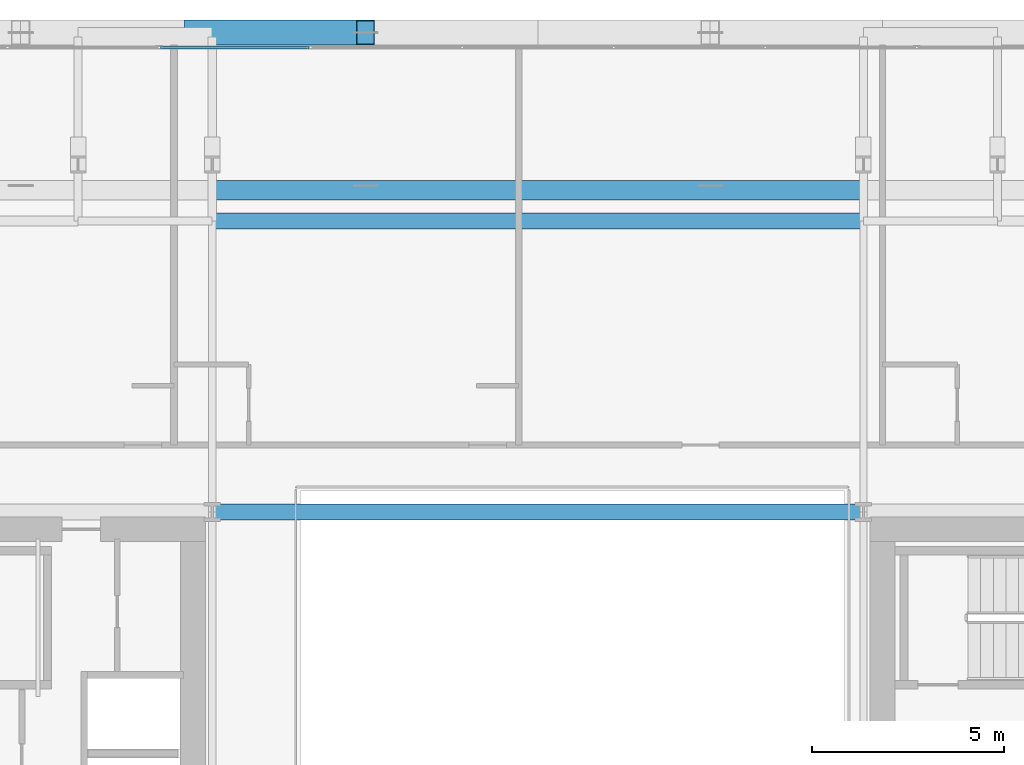
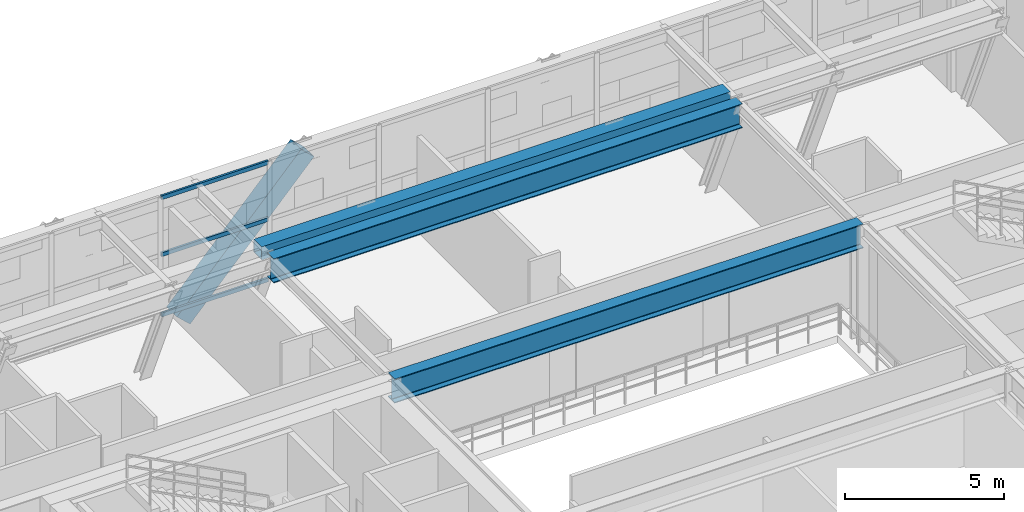
# One storey, part 19 of 35: 4 members, 3 beams, 1 element without a shape of its own.
"""IFC4 building model written with IfcOpenShell, lengths in metres."""

from ifc_helpers import new_model, si_unit, direction, frame, origin, origin_2d, place, context, subcontext, project, spatial, hollow_rectangle, i_section, extrude, source, transform, mapped, material, layer, layer_set, material_profile, profile_set, type_object, element, aggregate, save


model = new_model("IFC4")

# Units and contexts
model_context = context("Model", 3, precision=1e-05, world=origin(), true_north=direction((0.0, 1.0)))
body_context = subcontext(model_context, "Body", "Model", "MODEL_VIEW")
ifc_project = project(units=[si_unit("LENGTHUNIT", "METRE"), si_unit("AREAUNIT", "SQUARE_METRE"), si_unit("VOLUMEUNIT", "CUBIC_METRE"), si_unit("PLANEANGLEUNIT", "RADIAN"), si_unit("MASSUNIT", "GRAM", prefix="KILO")], contexts=[model_context])

# Site, building, storey
site_placement = place(None, origin())
site = spatial("IfcSite", under=ifc_project, at=site_placement, CompositionType="ELEMENT")
building_placement = place(site_placement, origin())
building = spatial("IfcBuilding", under=site, at=building_placement, Name="Ocotamira Hotel", CompositionType="ELEMENT")
storey_placement = place(building_placement, frame((0.0, 0.0, 158.39990234375)))
storey = spatial("IfcBuildingStorey", under=building, at=storey_placement, Name="L39", CompositionType="ELEMENT", Elevation=158.39990234375)

# Beams
ifc_material_1 = material(Name="Steel ASTM A992 Grade 50", Category="steel")
ifc_material_profile_1 = material_profile(ifc_material_1, i_section(OverallWidth=0.41796875, OverallDepth=0.927001953125, WebThickness=0.019287109375, FlangeThickness=0.031982421875, FilletRadius=0.02392578125, at=origin_2d()), Name="W36X231")
ifc_profile_set_1 = profile_set([ifc_material_profile_1], Name="Steel ASTM A992 Grade 50")
beam_type_1 = type_object("IfcBeamType", Name="BM-GIRD-W36X231", PredefinedType="BEAM", material=ifc_profile_set_1)
shared_shape_1 = source(origin(), body_context, "Body", "SweptSolid", [
    extrude(i_section(OverallWidth=0.41796875, OverallDepth=0.927001953125, WebThickness=0.019287109375, FlangeThickness=0.031982421875, FilletRadius=0.02392578125, at=origin_2d()), origin(), (0.0, 0.0, 1.0), 17.0),
])
for number, where, z_axis, x_axis, name in (
    (1, (23.5, 37.449951171875, 4.106689453125), (1.0, 0.0, 0.0), (0.0, 1.0, 0.0), "L39 Girder Y37.45 X23.5-40.5"),
    (2, (23.5, 45.050048828125, 4.106689453125), (1.0, 0.0, 0.0), (0.0, 1.0, 0.0), "L39 Girder Y45.05 X23.5-40.5"),
):
    element("IfcBeam", number, at=place(storey_placement, frame(where, z_axis=z_axis, x_axis=x_axis)), inside=storey, type_object=beam_type_1, Name=name, PredefinedType="BEAM", context=body_context, shape_type="MappedRepresentation", body=[
        mapped(shared_shape_1, transform((0.0, 0.0, 0.0), scale=1.0)),
    ])
ifc_material_2 = material(Name="Steel ASTM A500 Grade C", Category="steel")
ifc_material_profile_2 = material_profile(ifc_material_2, hollow_rectangle(XDim=0.5, YDim=0.5, WallThickness=0.02001953125, at=origin_2d()), Name="HSS500X500X20")
ifc_profile_set_2 = profile_set([ifc_material_profile_2], Name="Steel ASTM A500 Grade C")
beam_type_2 = type_object("IfcBeamType", Name="BM-SPAN-HSS500", PredefinedType="USERDEFINED", material=ifc_profile_set_2)
shared_shape_2 = source(origin(), body_context, "Body", "SweptSolid", [
    extrude(hollow_rectangle(XDim=0.5, YDim=0.5, WallThickness=0.02001953125, at=origin_2d()), origin(), (0.0, 0.0, 1.0), 17.0),
])
beam_placement = place(storey_placement, frame((23.5, 45.85009765625, 4.320068359375), z_axis=(1.0, 0.0, 0.0), x_axis=(0.0, 1.0, 0.0)))
element("IfcBeam", 3, at=beam_placement, inside=storey, type_object=beam_type_2, Name="L39 Inner Setback Spandrel N X23.5", ObjectType="SPANDREL", PredefinedType="USERDEFINED", context=body_context, shape_type="MappedRepresentation", body=[
    mapped(shared_shape_2, transform((0.0, 0.0, 0.0), scale=1.0)),
])

# Member
ifc_material_3 = material(Name="Pale-metal coated steel ASTM A913 Grade 65", Category="steel")
ifc_material_profile_3 = material_profile(ifc_material_3, hollow_rectangle(XDim=0.64990234375, YDim=0.64990234375, WallThickness=0.02197265625, at=origin_2d()), Name="BOX650X650X22")
ifc_profile_set_3 = profile_set([ifc_material_profile_3], Name="Pale-metal coated steel ASTM A913 Grade 65")
member_type_1 = type_object("IfcMemberType", Name="MEM-EXO-BOX650", PredefinedType="BRACE", material=ifc_profile_set_3)
shared_shape_3 = source(origin(), body_context, "Body", "SweptSolid", [
    extrude(hollow_rectangle(XDim=0.64990234375, YDim=0.64990234375, WallThickness=0.02197265625, at=origin_2d()), origin(), (0.0, 0.0, 1.0), 6.615966796875),
])
member_1_placement = place(storey_placement, frame((23.0, 49.969970703125, -0.52978515625), z_axis=(0.680172214763, 0.0, 0.73305235711), x_axis=(0.0, 1.0, 0.0)))
element("IfcMember", 4, at=member_1_placement, inside=storey, type_object=member_type_1, Name="L39 Exoskeleton Diagrid N1.1", PredefinedType="BRACE", context=body_context, shape_type="MappedRepresentation", body=[
    mapped(shared_shape_3, transform((0.0, 0.0, 0.0), scale=1.0)),
])

# Curtain wall, members
ifc_material_4 = material(Name="Anodised pale-metal aluminium and solar glass", Category="aluminium")
ifc_layer = layer(ifc_material_4, 0.239990234375)
ifc_layer_set = layer_set([ifc_layer], Name="Anodised pale-metal aluminium and solar glass")
curtain_wall_type = type_object("IfcCurtainWallType", Name="CW-SYS5-SKY", PredefinedType="NOTDEFINED", material=ifc_layer_set)
curtain_wall_placement = place(storey_placement, origin())
curtain_wall = element("IfcCurtainWall", 5, at=curtain_wall_placement, inside=storey, type_object=curtain_wall_type, Name="L39 Curtain Wall CW-5 CW-L39-N", PredefinedType="NOTDEFINED")
ifc_material_5 = material(Name="Anodised pale-metal aluminium 6063-T6", Category="aluminium")
ifc_material_profile_4 = material_profile(ifc_material_5, hollow_rectangle(XDim=0.074951171875, YDim=0.14990234375, WallThickness=0.006103515625, at=origin_2d()), Name="HSS150X75X6")
ifc_profile_set_4 = profile_set([ifc_material_profile_4], Name="Anodised pale-metal aluminium 6063-T6")
member_type_2 = type_object("IfcMemberType", Name="CWT-150X75", PredefinedType="USERDEFINED", material=ifc_profile_set_4)
shared_shape_4 = source(origin(), body_context, "Body", "SweptSolid", [
    extrude(hollow_rectangle(XDim=0.074951171875, YDim=0.14990234375, WallThickness=0.006103515625, at=origin_2d()), origin(), (0.0, 0.0, 1.0), 3.87548828125),
])
member_2_placement = place(storey_placement, frame((22.151123046875, 49.580078125, 0.03759765625), z_axis=(1.0, 0.0, 0.0), x_axis=(0.0, 1.0, 0.0)))
member_2 = element("IfcMember", 6, at=member_2_placement, type_object=member_type_2, Name="CW-5 transom 3.1", ObjectType="TRANSOM", PredefinedType="USERDEFINED", context=body_context, shape_type="MappedRepresentation", body=[
    mapped(shared_shape_4, transform((0.0, 0.0, 0.0), scale=1.0)),
])
member_3_placement = place(storey_placement, frame((22.151123046875, 49.580078125, 2.35009765625), z_axis=(1.0, 0.0, 0.0), x_axis=(0.0, 1.0, 0.0)))
member_3 = element("IfcMember", 7, at=member_3_placement, type_object=member_type_2, Name="CW-5 transom 3.2", ObjectType="TRANSOM", PredefinedType="USERDEFINED", context=body_context, shape_type="MappedRepresentation", body=[
    mapped(shared_shape_4, transform((0.0, 0.0, 0.0), scale=1.0)),
])
member_4_placement = place(storey_placement, frame((22.151123046875, 49.580078125, 4.53271484375), z_axis=(1.0, 0.0, 0.0), x_axis=(0.0, 1.0, 0.0)))
member_4 = element("IfcMember", 8, at=member_4_placement, type_object=member_type_2, Name="CW-5 transom 3.3", ObjectType="TRANSOM", PredefinedType="USERDEFINED", context=body_context, shape_type="MappedRepresentation", body=[
    mapped(shared_shape_4, transform((0.0, 0.0, 0.0), scale=1.0)),
])
aggregate(curtain_wall, [member_2, member_3, member_4])

save(model, "model.ifc")
